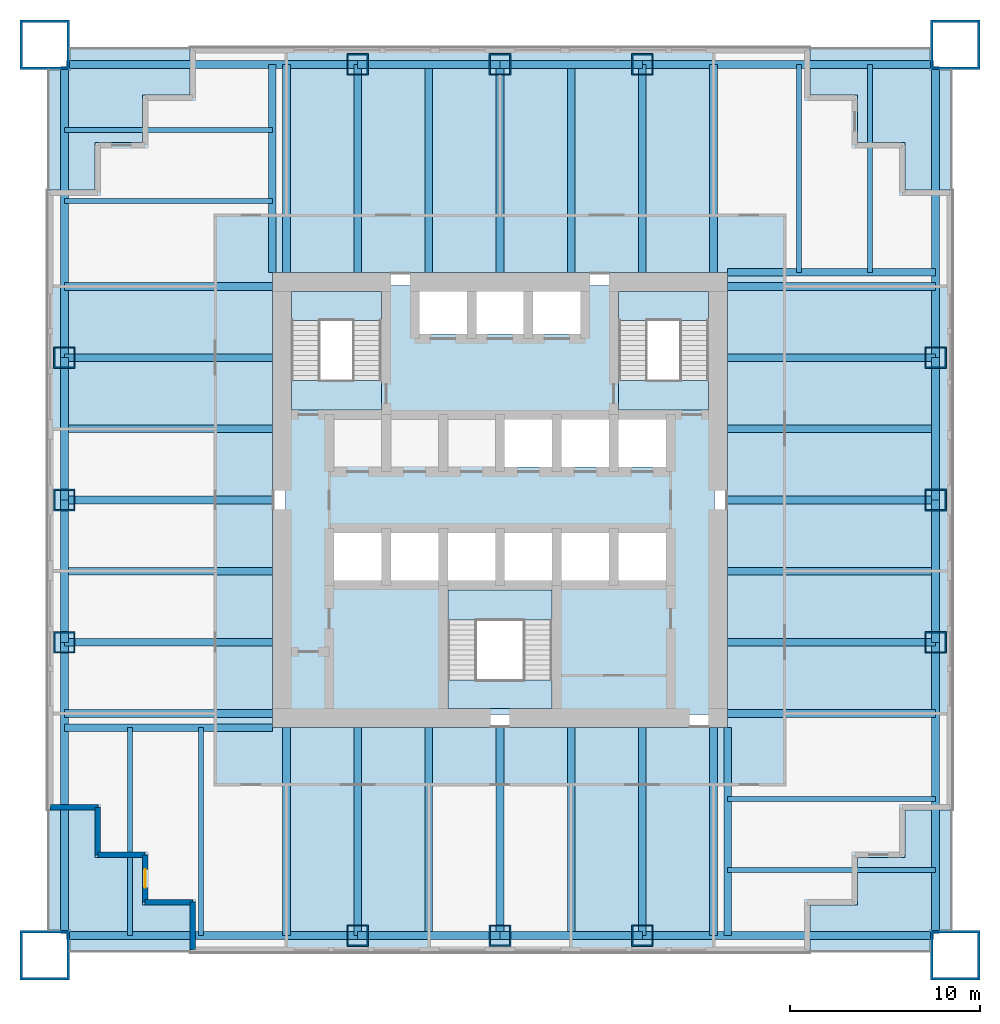
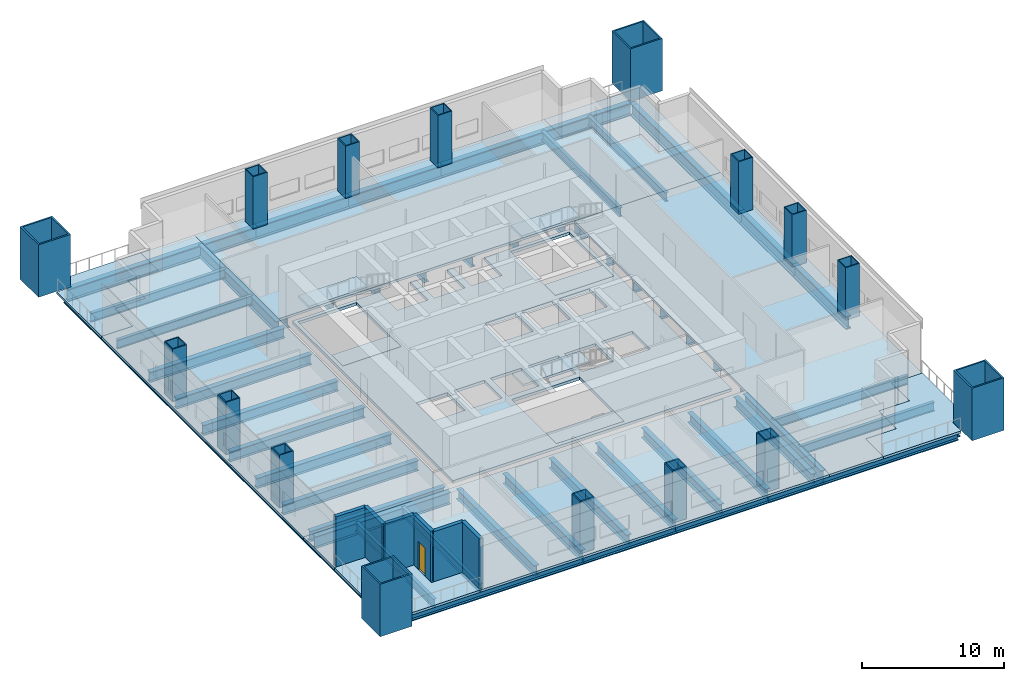
# One storey, part 1 of 7: 56 beams, 16 columns, 15 slabs, 6 walls, 1 door, 1 opening, 3 elements without a shape of their own.
"""IFC4 building model written with IfcOpenShell, lengths in metres."""

import ifcopenshell
import ifcopenshell.guid

model = None  # the IFC model being written
_history = None  # IfcOwnerHistory: only IFC2X3 demands one
_inside = {}  # id of a spatial element -> (the spatial element, [elements in it])
_under = {}  # id of a project, library or spatial element -> (it, [spatial elements below it])
_declared = {}  # id of a project -> (the project, [libraries it declares])
_typed = {}  # id of a type object -> (the type object, [elements of that type])
_made_of = {}  # id of a material, layer set ... -> (it, [elements and type objects made of it])


def new_model(schema):
    """Start an empty IFC model of exactly this schema.

    Asked for "IFC4X3", IfcOpenShell would pick the latest addendum, in which some entities
    have other attributes; the version numbers below select the first issue.
    IFC2X3 requires an IfcOwnerHistory on every rooted entity: one is made here for all.
    """
    global model, _history
    if schema == "IFC4X3":
        model = ifcopenshell.file(schema_version=(4, 3, 0, 0))
    else:
        model = ifcopenshell.file(schema=schema)
    _inside.clear()
    _under.clear()
    _declared.clear()
    _typed.clear()
    _made_of.clear()
    _history = None
    if model.schema == "IFC2X3":
        org = make("IfcOrganization", Name="unknown")
        user = make(
            "IfcPersonAndOrganization",
            ThePerson=make("IfcPerson", FamilyName="unknown"),
            TheOrganization=org,
        )
        app = make(
            "IfcApplication",
            ApplicationDeveloper=org,
            Version="unknown",
            ApplicationFullName="unknown",
            ApplicationIdentifier="unknown",
        )
        _history = make(
            "IfcOwnerHistory",
            OwningUser=user,
            OwningApplication=app,
            ChangeAction="ADDED",
            CreationDate=0,
        )
    return model


def make(cls, **values):
    """One entity of the class cls with the attributes given. An attribute that is None is left unset."""
    return model.create_entity(
        cls, **{name: value for name, value in values.items() if value is not None}
    )


def rooted(cls, **values):
    """An entity with a GlobalId (a new one), such as an element, a storey or a relation."""
    return make(cls, GlobalId=ifcopenshell.guid.new(), OwnerHistory=_history, **values)


def si_unit(unit_type, name, prefix=None):
    """IfcSIUnit, for example si_unit("LENGTHUNIT", "METRE", prefix="MILLI")."""
    return make("IfcSIUnit", UnitType=unit_type, Prefix=prefix, Name=name)


def assignment(units):
    """IfcUnitAssignment: the units of a project."""
    return None if units is None else make("IfcUnitAssignment", Units=units)


def point(xyz):
    """IfcCartesianPoint."""
    return None if xyz is None else make("IfcCartesianPoint", Coordinates=xyz)


def direction(xyz):
    """IfcDirection."""
    return None if xyz is None else make("IfcDirection", DirectionRatios=xyz)


def frame(location, z_axis=None, x_axis=None):
    """IfcAxis2Placement3D, a coordinate frame: its origin and axes. An axis left out is left unset."""
    return make(
        "IfcAxis2Placement3D",
        Location=point(location),
        Axis=direction(z_axis),
        RefDirection=direction(x_axis),
    )


def frame_2d(location, x_axis=None):
    """IfcAxis2Placement2D, a coordinate frame in the plane: its origin and x axis."""
    return make(
        "IfcAxis2Placement2D", Location=point(location), RefDirection=direction(x_axis)
    )


def origin():
    """The frame at (0, 0, 0) with its axes left unset."""
    return frame((0.0, 0.0, 0.0))


def origin_2d():
    """The frame at (0, 0) in the plane with its x axis left unset."""
    return frame_2d((0.0, 0.0))


def place(relative_to, where):
    """IfcLocalPlacement: puts the frame where relative to a parent placement (None: the world)."""
    return make(
        "IfcLocalPlacement", PlacementRelTo=relative_to, RelativePlacement=where
    )


def context(
    kind, dimensions, precision=None, world=None, true_north=None, identifier=None
):
    """IfcGeometricRepresentationContext, for example the 3D "Model" context."""
    return make(
        "IfcGeometricRepresentationContext",
        ContextIdentifier=identifier,
        ContextType=kind,
        CoordinateSpaceDimension=dimensions,
        Precision=precision,
        WorldCoordinateSystem=world,
        TrueNorth=true_north,
    )


def subcontext(parent, identifier, kind, view, scale=None):
    """IfcGeometricRepresentationSubContext, for example "Body" below "Model"."""
    return make(
        "IfcGeometricRepresentationSubContext",
        ContextIdentifier=identifier,
        ContextType=kind,
        ParentContext=parent,
        TargetScale=scale,
        TargetView=view,
    )


def project(units=None, contexts=None):
    """IfcProject with its units and contexts."""
    return rooted(
        "IfcProject",
        Name="project",
        RepresentationContexts=contexts,
        UnitsInContext=assignment(units),
    )


def spatial(cls, under=None, at=None, **own):
    """A site, building, storey or space (cls), placed at a placement, below another one or the project."""
    s = rooted(cls, ObjectPlacement=at, **own)
    if under is not None:
        _under.setdefault(under.id(), (under, []))[1].append(s)
    return s


def polyline(points):
    """IfcPolyline through the points."""
    return make("IfcPolyline", Points=[point(p) for p in points])


def profile(cls, at=None, kind="AREA", **sizes):
    """A parametric profile (cls). Its sizes go by their IFC names, for example OverallWidth=200.0."""
    return make(cls, ProfileType=kind, Position=at, **sizes)


def rectangle(**sizes):
    """IfcRectangleProfileDef."""
    return profile("IfcRectangleProfileDef", **sizes)


def hollow_rectangle(**sizes):
    """IfcRectangleHollowProfileDef."""
    return profile("IfcRectangleHollowProfileDef", **sizes)


def i_section(**sizes):
    """IfcIShapeProfileDef."""
    return profile("IfcIShapeProfileDef", **sizes)


def outline(outer, holes=None, kind="AREA"):
    """IfcArbitraryClosedProfileDef: a profile drawn as a closed curve; with holes, ...WithVoids."""
    if holes is None:
        return make("IfcArbitraryClosedProfileDef", ProfileType=kind, OuterCurve=outer)
    return make(
        "IfcArbitraryProfileDefWithVoids",
        ProfileType=kind,
        OuterCurve=outer,
        InnerCurves=holes,
    )


def extrude(swept, where, along, depth):
    """IfcExtrudedAreaSolid: the profile swept, set in the frame where, extruded along a direction by depth."""
    return make(
        "IfcExtrudedAreaSolid",
        SweptArea=swept,
        Position=where,
        ExtrudedDirection=direction(along),
        Depth=depth,
    )


def shape(context_of_items, identifier, shape_type, items):
    """IfcShapeRepresentation: the items that make up one representation, for example the "Body"."""
    return make(
        "IfcShapeRepresentation",
        ContextOfItems=context_of_items,
        RepresentationIdentifier=identifier,
        RepresentationType=shape_type,
        Items=items,
    )


def material(Name=None, Category=None):
    """IfcMaterial."""
    return make("IfcMaterial", Name=Name, Category=Category)


def layer(
    of_material, thickness, ventilated=None, Name=None, Category=None, Priority=None
):
    """IfcMaterialLayer: one layer of a wall or slab, of a material (None: an air gap)."""
    return make(
        "IfcMaterialLayer",
        Material=of_material,
        LayerThickness=thickness,
        IsVentilated=ventilated,
        Name=Name,
        Category=Category,
        Priority=Priority,
    )


def layer_set(layers, Name=None):
    """IfcMaterialLayerSet."""
    return make("IfcMaterialLayerSet", MaterialLayers=layers, LayerSetName=Name)


def material_profile(
    of_material, cross_section, Name=None, Category=None, Priority=None
):
    """IfcMaterialProfile: a cross section and its material."""
    return make(
        "IfcMaterialProfile",
        Name=Name,
        Material=of_material,
        Profile=cross_section,
        Priority=Priority,
        Category=Category,
    )


def profile_set(profiles, Name=None, composite=None):
    """IfcMaterialProfileSet."""
    return make(
        "IfcMaterialProfileSet",
        Name=Name,
        MaterialProfiles=profiles,
        CompositeProfile=composite,
    )


def made_of(thing, what):
    """Note that an element or type object is made of a material, layer set ...; save() writes the relation."""
    if what is not None:
        _made_of.setdefault(what.id(), (what, []))[1].append(thing)
    return thing


def type_object(cls, material=None, **own):
    """A type object (cls), such as IfcWallType, which elements share."""
    return made_of(rooted(cls, **own), material)


def element(
    cls,
    number,
    at=None,
    inside=None,
    cuts=None,
    type_object=None,
    material=None,
    context=None,
    identifier="Body",
    shape_type=None,
    held_by="IfcProductDefinitionShape",
    body=None,
    shapes=None,
    **own,
):
    """One element of the class cls, such as IfcWall. Its Tag is "e" and its number.

    at: its placement. inside: the storey or other place that contains it. cuts: it is an
    opening in that element (IfcRelVoidsElement). A single representation is given by context,
    identifier, shape_type and body (its items); several are given by shapes. held_by: the class
    of the entity that holds the representations. save() writes the other relations.
    """
    e = rooted(cls, Tag="e%d" % number, ObjectPlacement=at, **own)
    if body is not None:
        shapes = [shape(context, identifier, shape_type, body)]
    if shapes is not None:
        e.Representation = make(held_by, Representations=shapes)
    if inside is not None:
        _inside.setdefault(inside.id(), (inside, []))[1].append(e)
    if cuts is not None:
        rooted(
            "IfcRelVoidsElement", RelatingBuildingElement=cuts, RelatedOpeningElement=e
        )
    if type_object is not None:
        _typed.setdefault(type_object.id(), (type_object, []))[1].append(e)
    return made_of(e, material)


def fill(opening, filler):
    """IfcRelFillsElement: the door or window that sits in an opening."""
    return rooted(
        "IfcRelFillsElement",
        RelatingOpeningElement=opening,
        RelatedBuildingElement=filler,
    )


def aggregate(whole, parts):
    """IfcRelAggregates: a whole, such as a stair, and the parts it consists of."""
    return rooted("IfcRelAggregates", RelatingObject=whole, RelatedObjects=parts)


def save(model, path):
    """Write the relations noted so far, then the file.

    IfcRelAggregates (storeys below a building ...), IfcRelContainedInSpatialStructure (elements
    in a storey), IfcRelDefinesByType, IfcRelAssociatesMaterial and IfcRelDeclares: one each for
    every whole, place, type object, material and project.
    """
    for whole, parts in _under.values():
        aggregate(whole, parts)
    for where, things in _inside.values():
        rooted(
            "IfcRelContainedInSpatialStructure",
            RelatedElements=things,
            RelatingStructure=where,
        )
    for kind, things in _typed.values():
        rooted("IfcRelDefinesByType", RelatedObjects=things, RelatingType=kind)
    for what, things in _made_of.values():
        rooted("IfcRelAssociatesMaterial", RelatedObjects=things, RelatingMaterial=what)
    for by, libraries in _declared.values():
        rooted("IfcRelDeclares", RelatingContext=by, RelatedDefinitions=libraries)
    model.write(path)


model = new_model("IFC4")

# Units and contexts
model_context = context("Model", 3, precision=1e-05, world=origin(), true_north=direction((0.0, 1.0)))
body_context = subcontext(model_context, "Body", "Model", "MODEL_VIEW")
ifc_project = project(units=[si_unit("LENGTHUNIT", "METRE"), si_unit("AREAUNIT", "SQUARE_METRE"), si_unit("VOLUMEUNIT", "CUBIC_METRE"), si_unit("PLANEANGLEUNIT", "RADIAN"), si_unit("MASSUNIT", "GRAM", prefix="KILO")], contexts=[model_context])

# Site, building, storey
site_placement = place(None, origin())
site = spatial("IfcSite", under=ifc_project, at=site_placement, CompositionType="ELEMENT")
building_placement = place(site_placement, origin())
building = spatial("IfcBuilding", under=site, at=building_placement, Name="Tarangal Relay Tower", CompositionType="ELEMENT")
storey_placement = place(building_placement, frame((0.0, 0.0, 162.89990234375)))
storey = spatial("IfcBuildingStorey", under=building, at=storey_placement, Name="L33", CompositionType="ELEMENT", Elevation=162.89990234375)

# Columns
ifc_material_1 = material(Name="Steel ASTM A572 Grade 42", Category="steel")
ifc_material_profile_1 = material_profile(ifc_material_1, hollow_rectangle(XDim=2.60009765625, YDim=2.60009765625, WallThickness=0.1298828125, at=origin_2d()), Name="BOX2600X2600X130")
ifc_profile_set_1 = profile_set([ifc_material_profile_1], Name="Steel ASTM A572 Grade 42")
column_type_1 = type_object("IfcColumnType", Name="Mega column BOX2600X2600X130", PredefinedType="COLUMN", material=ifc_profile_set_1)
for number, where, z_axis, x_axis, name in (
    (1, (24.0, 24.0, 0.0), (0.0, 0.0, 1.0), (1.0, 0.0, 0.0), "Mega column MC2 NE L33"),
    (2, (24.0, -24.0, 0.0), (0.0, 0.0, 1.0), (1.0, 0.0, 0.0), "Mega column MC2 SE L33"),
    (3, (-24.0, -24.0, 0.0), (0.0, 0.0, 1.0), (1.0, 0.0, 0.0), "Mega column MC2 SW L33"),
    (4, (-24.0, 24.0, 0.0), (0.0, 0.0, 1.0), (1.0, 0.0, 0.0), "Mega column MC2 NW L33"),
):
    element("IfcColumn", number, at=place(storey_placement, frame(where, z_axis=z_axis, x_axis=x_axis)), inside=storey, type_object=column_type_1, Name=name, PredefinedType="COLUMN", context=body_context, shape_type="SweptSolid", body=[
        extrude(hollow_rectangle(XDim=2.60009765625, YDim=2.60009765625, WallThickness=0.1298828125, at=origin_2d()), origin(), (0.0, 0.0, 1.0), 4.5),
    ])
ifc_material_2 = material(Name="Steel ASTM A572 Grade 50", Category="steel")
ifc_material_profile_2 = material_profile(ifc_material_2, hollow_rectangle(XDim=1.14990234375, YDim=1.14990234375, WallThickness=0.074951171875, at=origin_2d()), Name="BOX1150X1150X75")
ifc_profile_set_2 = profile_set([ifc_material_profile_2], Name="Steel ASTM A572 Grade 50")
column_type_2 = type_object("IfcColumnType", Name="Perimeter column BOX1150X1150X75", PredefinedType="COLUMN", material=ifc_profile_set_2)
for number, where, z_axis, x_axis, name in (
    (5, (-7.5, 22.965087890625, 0.0), (0.0, 0.0, 1.0), (1.0, 0.0, 0.0), "Perimeter column PC3 N L33"),
    (6, (0.0, 22.965087890625, 0.0), (0.0, 0.0, 1.0), (1.0, 0.0, 0.0), "Perimeter column PC3 N L33"),
    (7, (7.5, 22.965087890625, 0.0), (0.0, 0.0, 1.0), (1.0, 0.0, 0.0), "Perimeter column PC3 N L33"),
    (8, (22.965087890625, 7.5, 0.0), (0.0, 0.0, 1.0), (1.0, 0.0, 0.0), "Perimeter column PC3 E L33"),
    (9, (22.965087890625, 0.0, 0.0), (0.0, 0.0, 1.0), (1.0, 0.0, 0.0), "Perimeter column PC3 E L33"),
    (10, (22.965087890625, -7.5, 0.0), (0.0, 0.0, 1.0), (1.0, 0.0, 0.0), "Perimeter column PC3 E L33"),
    (11, (7.5, -22.965087890625, 0.0), (0.0, 0.0, 1.0), (1.0, 0.0, 0.0), "Perimeter column PC3 S L33"),
    (12, (0.0, -22.965087890625, 0.0), (0.0, 0.0, 1.0), (1.0, 0.0, 0.0), "Perimeter column PC3 S L33"),
    (13, (-7.5, -22.965087890625, 0.0), (0.0, 0.0, 1.0), (1.0, 0.0, 0.0), "Perimeter column PC3 S L33"),
    (14, (-22.965087890625, -7.5, 0.0), (0.0, 0.0, 1.0), (1.0, 0.0, 0.0), "Perimeter column PC3 W L33"),
    (15, (-22.965087890625, 0.0, 0.0), (0.0, 0.0, 1.0), (1.0, 0.0, 0.0), "Perimeter column PC3 W L33"),
    (16, (-22.965087890625, 7.5, 0.0), (0.0, 0.0, 1.0), (1.0, 0.0, 0.0), "Perimeter column PC3 W L33"),
):
    element("IfcColumn", number, at=place(storey_placement, frame(where, z_axis=z_axis, x_axis=x_axis)), inside=storey, type_object=column_type_2, Name=name, PredefinedType="COLUMN", context=body_context, shape_type="SweptSolid", body=[
        extrude(hollow_rectangle(XDim=1.14990234375, YDim=1.14990234375, WallThickness=0.074951171875, at=origin_2d()), origin(), (0.0, 0.0, 1.0), 4.5),
    ])

# Beams
ifc_material_3 = material(Name="Steel ASTM A992", Category="steel")
ifc_material_profile_3 = material_profile(ifc_material_3, i_section(OverallWidth=0.2666015625, OverallDepth=0.76953125, WebThickness=0.015625, FlangeThickness=0.025390625, at=origin_2d()), Name="W30X132")
ifc_profile_set_3 = profile_set([ifc_material_profile_3], Name="Steel ASTM A992")
beam_type_1 = type_object("IfcBeamType", Name="Corner beam W30X132", PredefinedType="JOIST", material=ifc_profile_set_3)
for number, where, z_axis, x_axis, name in (
    (17, (15.75, 12.0, -0.584716796875), (0.0, 1.0, 0.0), (-1.0, 0.0, 0.0), "Corner beam CB13 N L33"),
    (18, (19.5, 12.0, -0.584716796875), (0.0, 1.0, 0.0), (-1.0, 0.0, 0.0), "Corner beam CB13 N L33"),
    (19, (12.0, -15.75, -0.584716796875), (1.0, 0.0, 0.0), (0.0, 1.0, 0.0), "Corner beam CB13 E L33"),
    (20, (12.0, -19.5, -0.584716796875), (1.0, 0.0, 0.0), (0.0, 1.0, 0.0), "Corner beam CB13 E L33"),
    (21, (-15.75, -12.0, -0.584716796875), (0.0, -1.0, 0.0), (1.0, 0.0, 0.0), "Corner beam CB13 S L33"),
    (22, (-19.5, -12.0, -0.584716796875), (0.0, -1.0, 0.0), (1.0, 0.0, 0.0), "Corner beam CB13 S L33"),
    (23, (-12.0, 15.75, -0.584716796875), (-1.0, 0.0, 0.0), (0.0, -1.0, 0.0), "Corner beam CB13 W L33"),
    (24, (-12.0, 19.5, -0.584716796875), (-1.0, 0.0, 0.0), (0.0, -1.0, 0.0), "Corner beam CB13 W L33"),
):
    element("IfcBeam", number, at=place(storey_placement, frame(where, z_axis=z_axis, x_axis=x_axis)), inside=storey, type_object=beam_type_1, Name=name, PredefinedType="JOIST", context=body_context, shape_type="SweptSolid", body=[
        extrude(i_section(OverallWidth=0.2666015625, OverallDepth=0.76953125, WebThickness=0.015625, FlangeThickness=0.025390625, at=origin_2d()), origin(), (0.0, 0.0, 1.0), 10.965087890625),
    ])
ifc_material_profile_4 = material_profile(ifc_material_3, i_section(OverallWidth=0.4013671875, OverallDepth=1.01611328125, WebThickness=0.02099609375, FlangeThickness=0.0400390625, at=origin_2d()), Name="W40X277")
ifc_profile_set_4 = profile_set([ifc_material_profile_4], Name="Steel ASTM A992")
beam_type_2 = type_object("IfcBeamType", Name="Corner girder W40X277", PredefinedType="BEAM", material=ifc_profile_set_4)
for number, where, z_axis, x_axis, name in (
    (25, (12.0, 12.0, -0.7080078125), (1.0, 0.0, 0.0), (0.0, 1.0, 0.0), "Corner girder CG3 N L33"),
    (26, (12.0, -12.0, -0.7080078125), (0.0, -1.0, 0.0), (1.0, 0.0, 0.0), "Corner girder CG3 E L33"),
    (27, (-12.0, -12.0, -0.7080078125), (-1.0, 0.0, 0.0), (0.0, -1.0, 0.0), "Corner girder CG3 S L33"),
    (28, (-12.0, 12.0, -0.7080078125), (0.0, 1.0, 0.0), (-1.0, 0.0, 0.0), "Corner girder CG3 W L33"),
):
    element("IfcBeam", number, at=place(storey_placement, frame(where, z_axis=z_axis, x_axis=x_axis)), inside=storey, type_object=beam_type_2, Name=name, PredefinedType="BEAM", context=body_context, shape_type="SweptSolid", body=[
        extrude(i_section(OverallWidth=0.4013671875, OverallDepth=1.01611328125, WebThickness=0.02099609375, FlangeThickness=0.0400390625, at=origin_2d()), origin(), (0.0, 0.0, 1.0), 10.965087890625),
    ])
ifc_material_profile_5 = material_profile(ifc_material_3, i_section(OverallWidth=0.42431640625, OverallDepth=1.09228515625, WebThickness=0.04541015625, FlangeThickness=0.08203125, at=origin_2d()), Name="W40X593")
ifc_profile_set_5 = profile_set([ifc_material_profile_5], Name="Steel ASTM A992")
beam_type_3 = type_object("IfcBeamType", Name="Edge girder W40X593", PredefinedType="SPANDREL", material=ifc_profile_set_5)
beam_1_placement = place(storey_placement, frame((-22.85009765625, 22.965087890625, -0.74609375), z_axis=(1.0, 0.0, 0.0), x_axis=(0.0, 1.0, 0.0)))
element("IfcBeam", 29, at=beam_1_placement, inside=storey, type_object=beam_type_3, Name="Edge girder EG9 N L33", PredefinedType="SPANDREL", context=body_context, shape_type="SweptSolid", body=[
    extrude(i_section(OverallWidth=0.42431640625, OverallDepth=1.09228515625, WebThickness=0.04541015625, FlangeThickness=0.08203125, at=origin_2d()), origin(), (0.0, 0.0, 1.0), 15.35009765625),
])
for number, where, z_axis, x_axis, name in (
    (30, (-7.5, 22.965087890625, -0.74609375), (1.0, 0.0, 0.0), (0.0, 1.0, 0.0), "Edge girder EG9 N L33"),
    (31, (0.0, 22.965087890625, -0.74609375), (1.0, 0.0, 0.0), (0.0, 1.0, 0.0), "Edge girder EG9 N L33"),
):
    element("IfcBeam", number, at=place(storey_placement, frame(where, z_axis=z_axis, x_axis=x_axis)), inside=storey, type_object=beam_type_3, Name=name, PredefinedType="SPANDREL", context=body_context, shape_type="SweptSolid", body=[
        extrude(i_section(OverallWidth=0.42431640625, OverallDepth=1.09228515625, WebThickness=0.04541015625, FlangeThickness=0.08203125, at=origin_2d()), origin(), (0.0, 0.0, 1.0), 7.5),
    ])
for number, where, z_axis, x_axis, name in (
    (32, (7.5, 22.965087890625, -0.74609375), (1.0, 0.0, 0.0), (0.0, 1.0, 0.0), "Edge girder EG9 N L33"),
    (33, (22.965087890625, 22.85009765625, -0.74609375), (0.0, -1.0, 0.0), (1.0, 0.0, 0.0), "Edge girder EG9 E L33"),
):
    element("IfcBeam", number, at=place(storey_placement, frame(where, z_axis=z_axis, x_axis=x_axis)), inside=storey, type_object=beam_type_3, Name=name, PredefinedType="SPANDREL", context=body_context, shape_type="SweptSolid", body=[
        extrude(i_section(OverallWidth=0.42431640625, OverallDepth=1.09228515625, WebThickness=0.04541015625, FlangeThickness=0.08203125, at=origin_2d()), origin(), (0.0, 0.0, 1.0), 15.35009765625),
    ])
for number, where, z_axis, x_axis, name in (
    (34, (22.965087890625, 7.5, -0.74609375), (0.0, -1.0, 0.0), (1.0, 0.0, 0.0), "Edge girder EG9 E L33"),
    (35, (22.965087890625, 0.0, -0.74609375), (0.0, -1.0, 0.0), (1.0, 0.0, 0.0), "Edge girder EG9 E L33"),
):
    element("IfcBeam", number, at=place(storey_placement, frame(where, z_axis=z_axis, x_axis=x_axis)), inside=storey, type_object=beam_type_3, Name=name, PredefinedType="SPANDREL", context=body_context, shape_type="SweptSolid", body=[
        extrude(i_section(OverallWidth=0.42431640625, OverallDepth=1.09228515625, WebThickness=0.04541015625, FlangeThickness=0.08203125, at=origin_2d()), origin(), (0.0, 0.0, 1.0), 7.5),
    ])
for number, where, z_axis, x_axis, name in (
    (36, (22.965087890625, -7.5, -0.74609375), (0.0, -1.0, 0.0), (1.0, 0.0, 0.0), "Edge girder EG9 E L33"),
    (37, (22.85009765625, -22.965087890625, -0.74609375), (-1.0, 0.0, 0.0), (0.0, -1.0, 0.0), "Edge girder EG9 S L33"),
):
    element("IfcBeam", number, at=place(storey_placement, frame(where, z_axis=z_axis, x_axis=x_axis)), inside=storey, type_object=beam_type_3, Name=name, PredefinedType="SPANDREL", context=body_context, shape_type="SweptSolid", body=[
        extrude(i_section(OverallWidth=0.42431640625, OverallDepth=1.09228515625, WebThickness=0.04541015625, FlangeThickness=0.08203125, at=origin_2d()), origin(), (0.0, 0.0, 1.0), 15.35009765625),
    ])
for number, where, z_axis, x_axis, name in (
    (38, (7.5, -22.965087890625, -0.74609375), (-1.0, 0.0, 0.0), (0.0, -1.0, 0.0), "Edge girder EG9 S L33"),
    (39, (0.0, -22.965087890625, -0.74609375), (-1.0, 0.0, 0.0), (0.0, -1.0, 0.0), "Edge girder EG9 S L33"),
):
    element("IfcBeam", number, at=place(storey_placement, frame(where, z_axis=z_axis, x_axis=x_axis)), inside=storey, type_object=beam_type_3, Name=name, PredefinedType="SPANDREL", context=body_context, shape_type="SweptSolid", body=[
        extrude(i_section(OverallWidth=0.42431640625, OverallDepth=1.09228515625, WebThickness=0.04541015625, FlangeThickness=0.08203125, at=origin_2d()), origin(), (0.0, 0.0, 1.0), 7.5),
    ])
for number, where, z_axis, x_axis, name in (
    (40, (-7.5, -22.965087890625, -0.74609375), (-1.0, 0.0, 0.0), (0.0, -1.0, 0.0), "Edge girder EG9 S L33"),
    (41, (-22.965087890625, -22.85009765625, -0.74609375), (0.0, 1.0, 0.0), (-1.0, 0.0, 0.0), "Edge girder EG9 W L33"),
):
    element("IfcBeam", number, at=place(storey_placement, frame(where, z_axis=z_axis, x_axis=x_axis)), inside=storey, type_object=beam_type_3, Name=name, PredefinedType="SPANDREL", context=body_context, shape_type="SweptSolid", body=[
        extrude(i_section(OverallWidth=0.42431640625, OverallDepth=1.09228515625, WebThickness=0.04541015625, FlangeThickness=0.08203125, at=origin_2d()), origin(), (0.0, 0.0, 1.0), 15.35009765625),
    ])
for number, where, z_axis, x_axis, name in (
    (42, (-22.965087890625, -7.5, -0.74609375), (0.0, 1.0, 0.0), (-1.0, 0.0, 0.0), "Edge girder EG9 W L33"),
    (43, (-22.965087890625, 0.0, -0.74609375), (0.0, 1.0, 0.0), (-1.0, 0.0, 0.0), "Edge girder EG9 W L33"),
):
    element("IfcBeam", number, at=place(storey_placement, frame(where, z_axis=z_axis, x_axis=x_axis)), inside=storey, type_object=beam_type_3, Name=name, PredefinedType="SPANDREL", context=body_context, shape_type="SweptSolid", body=[
        extrude(i_section(OverallWidth=0.42431640625, OverallDepth=1.09228515625, WebThickness=0.04541015625, FlangeThickness=0.08203125, at=origin_2d()), origin(), (0.0, 0.0, 1.0), 7.5),
    ])
beam_2_placement = place(storey_placement, frame((-22.965087890625, 7.5, -0.74609375), z_axis=(0.0, 1.0, 0.0), x_axis=(-1.0, 0.0, 0.0)))
element("IfcBeam", 44, at=beam_2_placement, inside=storey, type_object=beam_type_3, Name="Edge girder EG9 W L33", PredefinedType="SPANDREL", context=body_context, shape_type="SweptSolid", body=[
    extrude(i_section(OverallWidth=0.42431640625, OverallDepth=1.09228515625, WebThickness=0.04541015625, FlangeThickness=0.08203125, at=origin_2d()), origin(), (0.0, 0.0, 1.0), 15.35009765625),
])
ifc_material_profile_6 = material_profile(ifc_material_3, i_section(OverallWidth=0.40380859375, OverallDepth=0.86865234375, WebThickness=0.02099609375, FlangeThickness=0.03564453125, at=origin_2d()), Name="W33X241")
ifc_profile_set_6 = profile_set([ifc_material_profile_6], Name="Steel ASTM A992")
beam_type_4 = type_object("IfcBeamType", Name="Floor beam W33X241", PredefinedType="BEAM", material=ifc_profile_set_6)
for number, where, z_axis, x_axis, name in (
    (45, (-11.25, 12.0, -0.63427734375), (0.0, 1.0, 0.0), (-1.0, 0.0, 0.0), "Floor beam RB11 N L33"),
    (46, (-7.5, 12.0, -0.63427734375), (0.0, 1.0, 0.0), (-1.0, 0.0, 0.0), "Floor beam RB11 N L33"),
    (47, (-3.75, 12.0, -0.63427734375), (0.0, 1.0, 0.0), (-1.0, 0.0, 0.0), "Floor beam RB11 N L33"),
    (48, (0.0, 12.0, -0.63427734375), (0.0, 1.0, 0.0), (-1.0, 0.0, 0.0), "Floor beam RB11 N L33"),
    (49, (3.75, 12.0, -0.63427734375), (0.0, 1.0, 0.0), (-1.0, 0.0, 0.0), "Floor beam RB11 N L33"),
    (50, (7.5, 12.0, -0.63427734375), (0.0, 1.0, 0.0), (-1.0, 0.0, 0.0), "Floor beam RB11 N L33"),
    (51, (11.25, 12.0, -0.63427734375), (0.0, 1.0, 0.0), (-1.0, 0.0, 0.0), "Floor beam RB11 N L33"),
    (52, (12.0, 11.25, -0.63427734375), (1.0, 0.0, 0.0), (0.0, 1.0, 0.0), "Floor beam RB11 E L33"),
    (53, (12.0, 7.5, -0.63427734375), (1.0, 0.0, 0.0), (0.0, 1.0, 0.0), "Floor beam RB11 E L33"),
    (54, (12.0, 3.75, -0.63427734375), (1.0, 0.0, 0.0), (0.0, 1.0, 0.0), "Floor beam RB11 E L33"),
    (55, (12.0, 0.0, -0.63427734375), (1.0, 0.0, 0.0), (0.0, 1.0, 0.0), "Floor beam RB11 E L33"),
    (56, (12.0, -3.75, -0.63427734375), (1.0, 0.0, 0.0), (0.0, 1.0, 0.0), "Floor beam RB11 E L33"),
    (57, (12.0, -7.5, -0.63427734375), (1.0, 0.0, 0.0), (0.0, 1.0, 0.0), "Floor beam RB11 E L33"),
    (58, (12.0, -11.25, -0.63427734375), (1.0, 0.0, 0.0), (0.0, 1.0, 0.0), "Floor beam RB11 E L33"),
    (59, (11.25, -12.0, -0.63427734375), (0.0, -1.0, 0.0), (1.0, 0.0, 0.0), "Floor beam RB11 S L33"),
    (60, (7.5, -12.0, -0.63427734375), (0.0, -1.0, 0.0), (1.0, 0.0, 0.0), "Floor beam RB11 S L33"),
    (61, (3.75, -12.0, -0.63427734375), (0.0, -1.0, 0.0), (1.0, 0.0, 0.0), "Floor beam RB11 S L33"),
    (62, (0.0, -12.0, -0.63427734375), (0.0, -1.0, 0.0), (1.0, 0.0, 0.0), "Floor beam RB11 S L33"),
    (63, (-3.75, -12.0, -0.63427734375), (0.0, -1.0, 0.0), (1.0, 0.0, 0.0), "Floor beam RB11 S L33"),
    (64, (-7.5, -12.0, -0.63427734375), (0.0, -1.0, 0.0), (1.0, 0.0, 0.0), "Floor beam RB11 S L33"),
    (65, (-11.25, -12.0, -0.63427734375), (0.0, -1.0, 0.0), (1.0, 0.0, 0.0), "Floor beam RB11 S L33"),
    (66, (-12.0, -11.25, -0.63427734375), (-1.0, 0.0, 0.0), (0.0, -1.0, 0.0), "Floor beam RB11 W L33"),
    (67, (-12.0, -7.5, -0.63427734375), (-1.0, 0.0, 0.0), (0.0, -1.0, 0.0), "Floor beam RB11 W L33"),
    (68, (-12.0, -3.75, -0.63427734375), (-1.0, 0.0, 0.0), (0.0, -1.0, 0.0), "Floor beam RB11 W L33"),
    (69, (-12.0, 0.0, -0.63427734375), (-1.0, 0.0, 0.0), (0.0, -1.0, 0.0), "Floor beam RB11 W L33"),
    (70, (-12.0, 3.75, -0.63427734375), (-1.0, 0.0, 0.0), (0.0, -1.0, 0.0), "Floor beam RB11 W L33"),
    (71, (-12.0, 7.5, -0.63427734375), (-1.0, 0.0, 0.0), (0.0, -1.0, 0.0), "Floor beam RB11 W L33"),
    (72, (-12.0, 11.25, -0.63427734375), (-1.0, 0.0, 0.0), (0.0, -1.0, 0.0), "Floor beam RB11 W L33"),
):
    element("IfcBeam", number, at=place(storey_placement, frame(where, z_axis=z_axis, x_axis=x_axis)), inside=storey, type_object=beam_type_4, Name=name, PredefinedType="BEAM", context=body_context, shape_type="SweptSolid", body=[
        extrude(i_section(OverallWidth=0.40380859375, OverallDepth=0.86865234375, WebThickness=0.02099609375, FlangeThickness=0.03564453125, at=origin_2d()), origin(), (0.0, 0.0, 1.0), 10.965087890625),
    ])

# Slabs
ifc_material_4 = material(Name="Concrete fc' 35 MPa", Category="concrete")
ifc_layer_1 = layer(ifc_material_4, 0.25)
ifc_layer_set_1 = layer_set([ifc_layer_1], Name="Core floor slab 250")
slab_type_1 = type_object("IfcSlabType", Name="Core floor slab 250", PredefinedType="FLOOR", material=ifc_layer_set_1)
slab_1_placement = place(storey_placement, frame((0.0, 0.0, -0.25)))
element("IfcSlab", 73, at=slab_1_placement, inside=storey, type_object=slab_type_1, Name="Core floor slab L33", PredefinedType="FLOOR", context=body_context, shape_type="SweptSolid", body=[
    extrude(outline(polyline([(11.300048828125, 11.300048828125), (11.300048828125, -11.300048828125), (-11.300048828125, -11.300048828125), (-11.300048828125, 11.300048828125), (-4.25, 11.300048828125), (-4.25, 8.75), (-1.75, 8.75), (-1.75, 11.300048828125), (-1.25, 11.300048828125), (-1.25, 8.75), (1.25, 8.75), (1.25, 11.300048828125), (1.75, 11.300048828125), (1.75, 8.75), (4.25, 8.75), (4.25, 11.300048828125), (11.300048828125, 11.300048828125)]), holes=[polyline([(2.75, -4.75), (-2.75, -4.75), (-2.75, -11.0), (2.75, -11.0), (2.75, -4.75)]), polyline([(-6.25, -4.25), (-6.25, -1.75), (-8.75, -1.75), (-8.75, -4.25), (-6.25, -4.25)]), polyline([(-3.25, -4.25), (-3.25, -1.75), (-5.75, -1.75), (-5.75, -4.25), (-3.25, -4.25)]), polyline([(-0.25, -4.25), (-0.25, -1.75), (-2.75, -1.75), (-2.75, -4.25), (-0.25, -4.25)]), polyline([(2.75, 1.75), (2.75, 4.25), (0.25, 4.25), (0.25, 1.75), (2.75, 1.75)]), polyline([(-6.25, 4.75), (-6.25, 11.0), (-11.0, 11.0), (-11.0, 4.75), (-6.25, 4.75)]), polyline([(2.75, -4.25), (2.75, -1.75), (0.25, -1.75), (0.25, -4.25), (2.75, -4.25)]), polyline([(5.75, -4.25), (5.75, -1.75), (3.25, -1.75), (3.25, -4.25), (5.75, -4.25)]), polyline([(8.75, -4.25), (8.75, -1.75), (6.25, -1.75), (6.25, -4.25), (8.75, -4.25)]), polyline([(5.75, 1.75), (5.75, 4.25), (3.25, 4.25), (3.25, 1.75), (5.75, 1.75)]), polyline([(8.75, 1.75), (8.75, 4.25), (6.25, 4.25), (6.25, 1.75), (8.75, 1.75)]), polyline([(11.0, 4.75), (11.0, 11.0), (6.25, 11.0), (6.25, 4.75), (11.0, 4.75)])]), origin(), (0.0, 0.0, 1.0), 0.25),
])
ifc_layer_2 = layer(ifc_material_4, 0.199951171875)
ifc_layer_set_2 = layer_set([ifc_layer_2], Name="Floor slab 200")
slab_type_2 = type_object("IfcSlabType", Name="Floor slab 200", PredefinedType="FLOOR", material=ifc_layer_set_2)
slab_2_placement = place(storey_placement, frame((0.0, 0.0, -0.199951171875)))
element("IfcSlab", 74, at=slab_2_placement, inside=storey, type_object=slab_type_2, Name="Floor slab FS2 L33 north bay", PredefinedType="FLOOR", context=body_context, shape_type="SweptSolid", body=[
    extrude(outline(polyline([(16.35009765625, 23.85009765625), (16.35009765625, 21.35009765625), (18.85009765625, 21.35009765625), (18.85009765625, 18.85009765625), (21.35009765625, 18.85009765625), (21.35009765625, 16.35009765625), (23.85009765625, 16.35009765625), (23.85009765625, 12.0), (-12.0, 12.0), (-12.0, 23.85009765625), (16.35009765625, 23.85009765625)])), origin(), (0.0, 0.0, 1.0), 0.199951171875),
])
slab_3_placement = place(storey_placement, frame((0.0, 0.0, -0.199951171875)))
element("IfcSlab", 75, at=slab_3_placement, inside=storey, type_object=slab_type_2, Name="Floor slab FS2 L33 east bay", PredefinedType="FLOOR", context=body_context, shape_type="SweptSolid", body=[
    extrude(outline(polyline([(23.85009765625, -16.35009765625), (21.35009765625, -16.35009765625), (21.35009765625, -18.85009765625), (18.85009765625, -18.85009765625), (18.85009765625, -21.35009765625), (16.35009765625, -21.35009765625), (16.35009765625, -23.85009765625), (12.0, -23.85009765625), (12.0, 12.0), (23.85009765625, 12.0), (23.85009765625, -16.35009765625)])), origin(), (0.0, 0.0, 1.0), 0.199951171875),
])
slab_4_placement = place(storey_placement, frame((0.0, 0.0, -0.199951171875)))
element("IfcSlab", 76, at=slab_4_placement, inside=storey, type_object=slab_type_2, Name="Floor slab FS2 L33 south bay", PredefinedType="FLOOR", context=body_context, shape_type="SweptSolid", body=[
    extrude(outline(polyline([(-16.35009765625, -23.85009765625), (-16.35009765625, -21.35009765625), (-18.85009765625, -21.35009765625), (-18.85009765625, -18.85009765625), (-21.35009765625, -18.85009765625), (-21.35009765625, -16.35009765625), (-23.85009765625, -16.35009765625), (-23.85009765625, -12.0), (12.0, -12.0), (12.0, -23.85009765625), (-16.35009765625, -23.85009765625)])), origin(), (0.0, 0.0, 1.0), 0.199951171875),
])
slab_5_placement = place(storey_placement, frame((0.0, 0.0, -0.199951171875)))
element("IfcSlab", 77, at=slab_5_placement, inside=storey, type_object=slab_type_2, Name="Floor slab FS2 L33 west bay", PredefinedType="FLOOR", context=body_context, shape_type="SweptSolid", body=[
    extrude(outline(polyline([(-12.0, 23.85009765625), (-12.0, -12.0), (-23.85009765625, -12.0), (-23.85009765625, 16.35009765625), (-21.35009765625, 16.35009765625), (-21.35009765625, 18.85009765625), (-18.85009765625, 18.85009765625), (-18.85009765625, 21.35009765625), (-16.35009765625, 21.35009765625), (-16.35009765625, 23.85009765625), (-12.0, 23.85009765625)])), origin(), (0.0, 0.0, 1.0), 0.199951171875),
])

# Stair, slabs
ifc_material_5 = material(Name="Steel ASTM A992 stair flight", Category="steel")
stair_type = type_object("IfcStairType", Name="Core stair 1500", PredefinedType="HALF_TURN_STAIR", material=ifc_material_5)
stair_1_placement = place(storey_placement, origin())
stair_1 = element("IfcStair", 78, at=stair_1_placement, inside=storey, type_object=stair_type, Name="Stair ST-A L33", PredefinedType="HALF_TURN_STAIR")
ifc_layer_3 = layer(ifc_material_4, 0.199951171875)
ifc_layer_set_3 = layer_set([ifc_layer_3], Name="Stair landing 200")
slab_type_3 = type_object("IfcSlabType", Name="Stair landing 200", PredefinedType="LANDING", material=ifc_layer_set_3)
slab_6_placement = place(storey_placement, frame((0.0, 0.0, -0.199951171875)))
slab_6 = element("IfcSlab", 79, at=slab_6_placement, type_object=slab_type_3, Name="ST-A landing 1", PredefinedType="LANDING", context=body_context, shape_type="SweptSolid", body=[
    extrude(outline(polyline([(-11.0, 4.75), (-6.25, 4.75), (-6.25, 6.300048828125), (-11.0, 6.300048828125), (-11.0, 4.75)])), origin(), (0.0, 0.0, 1.0), 0.199951171875),
])
slab_7_placement = place(storey_placement, frame((0.0, 0.0, 2.050048828125)))
slab_7 = element("IfcSlab", 80, at=slab_7_placement, type_object=slab_type_3, Name="ST-A landing 2", PredefinedType="LANDING", context=body_context, shape_type="SweptSolid", body=[
    extrude(outline(polyline([(-11.0, 9.468017578125), (-6.25, 9.468017578125), (-6.25, 11.0), (-11.0, 11.0), (-11.0, 9.468017578125)])), origin(), (0.0, 0.0, 1.0), 0.199951171875),
])
aggregate(stair_1, [slab_6, slab_7])

stair_2_placement = place(storey_placement, origin())
stair_2 = element("IfcStair", 81, at=stair_2_placement, inside=storey, type_object=stair_type, Name="Stair ST-B L33", PredefinedType="HALF_TURN_STAIR")
slab_8_placement = place(storey_placement, frame((0.0, 0.0, -0.199951171875)))
slab_8 = element("IfcSlab", 82, at=slab_8_placement, type_object=slab_type_3, Name="ST-B landing 1", PredefinedType="LANDING", context=body_context, shape_type="SweptSolid", body=[
    extrude(outline(polyline([(6.25, 4.75), (11.0, 4.75), (11.0, 6.300048828125), (6.25, 6.300048828125), (6.25, 4.75)])), origin(), (0.0, 0.0, 1.0), 0.199951171875),
])
slab_9_placement = place(storey_placement, frame((0.0, 0.0, 2.050048828125)))
slab_9 = element("IfcSlab", 83, at=slab_9_placement, type_object=slab_type_3, Name="ST-B landing 2", PredefinedType="LANDING", context=body_context, shape_type="SweptSolid", body=[
    extrude(outline(polyline([(6.25, 9.468017578125), (11.0, 9.468017578125), (11.0, 11.0), (6.25, 11.0), (6.25, 9.468017578125)])), origin(), (0.0, 0.0, 1.0), 0.199951171875),
])
aggregate(stair_2, [slab_8, slab_9])

stair_3_placement = place(storey_placement, origin())
stair_3 = element("IfcStair", 84, at=stair_3_placement, inside=storey, type_object=stair_type, Name="Stair ST-C L33", PredefinedType="HALF_TURN_STAIR")
slab_10_placement = place(storey_placement, frame((0.0, 0.0, -0.199951171875)))
slab_10 = element("IfcSlab", 85, at=slab_10_placement, type_object=slab_type_3, Name="ST-C landing 1", PredefinedType="LANDING", context=body_context, shape_type="SweptSolid", body=[
    extrude(outline(polyline([(-2.75, -11.0), (2.75, -11.0), (2.75, -9.5), (-2.75, -9.5), (-2.75, -11.0)])), origin(), (0.0, 0.0, 1.0), 0.199951171875),
])
slab_11_placement = place(storey_placement, frame((0.0, 0.0, 2.050048828125)))
slab_11 = element("IfcSlab", 86, at=slab_11_placement, type_object=slab_type_3, Name="ST-C landing 2", PredefinedType="LANDING", context=body_context, shape_type="SweptSolid", body=[
    extrude(outline(polyline([(-2.75, -6.33203125), (2.75, -6.33203125), (2.75, -4.75), (-2.75, -4.75), (-2.75, -6.33203125)])), origin(), (0.0, 0.0, 1.0), 0.199951171875),
])
aggregate(stair_3, [slab_10, slab_11])

# Slabs
ifc_layer_4 = layer(ifc_material_4, 0.199951171875)
ifc_layer_set_4 = layer_set([ifc_layer_4], Name="Terrace slab 200")
slab_type_4 = type_object("IfcSlabType", Name="Terrace slab 200", PredefinedType="FLOOR", material=ifc_layer_set_4)
slab_12_placement = place(storey_placement, frame((0.0, 0.0, -0.199951171875)))
element("IfcSlab", 87, at=slab_12_placement, inside=storey, type_object=slab_type_4, Name="Corner terrace NE L33", PredefinedType="FLOOR", context=body_context, shape_type="SweptSolid", body=[
    extrude(outline(polyline([(16.35009765625, 23.85009765625), (16.35009765625, 21.35009765625), (18.85009765625, 21.35009765625), (18.85009765625, 18.85009765625), (21.35009765625, 18.85009765625), (21.35009765625, 16.35009765625), (23.85009765625, 16.35009765625), (23.85009765625, 22.64990234375), (22.64990234375, 22.64990234375), (22.64990234375, 23.85009765625), (16.35009765625, 23.85009765625)])), origin(), (0.0, 0.0, 1.0), 0.199951171875),
])
slab_13_placement = place(storey_placement, frame((0.0, 0.0, -0.199951171875)))
element("IfcSlab", 88, at=slab_13_placement, inside=storey, type_object=slab_type_4, Name="Corner terrace SE L33", PredefinedType="FLOOR", context=body_context, shape_type="SweptSolid", body=[
    extrude(outline(polyline([(23.85009765625, -16.35009765625), (21.35009765625, -16.35009765625), (21.35009765625, -18.85009765625), (18.85009765625, -18.85009765625), (18.85009765625, -21.35009765625), (16.35009765625, -21.35009765625), (16.35009765625, -23.85009765625), (22.64990234375, -23.85009765625), (22.64990234375, -22.64990234375), (23.85009765625, -22.64990234375), (23.85009765625, -16.35009765625)])), origin(), (0.0, 0.0, 1.0), 0.199951171875),
])
slab_14_placement = place(storey_placement, frame((0.0, 0.0, -0.199951171875)))
element("IfcSlab", 89, at=slab_14_placement, inside=storey, type_object=slab_type_4, Name="Corner terrace SW L33", PredefinedType="FLOOR", context=body_context, shape_type="SweptSolid", body=[
    extrude(outline(polyline([(-16.35009765625, -23.85009765625), (-16.35009765625, -21.35009765625), (-18.85009765625, -21.35009765625), (-18.85009765625, -18.85009765625), (-21.35009765625, -18.85009765625), (-21.35009765625, -16.35009765625), (-23.85009765625, -16.35009765625), (-23.85009765625, -22.64990234375), (-22.64990234375, -22.64990234375), (-22.64990234375, -23.85009765625), (-16.35009765625, -23.85009765625)])), origin(), (0.0, 0.0, 1.0), 0.199951171875),
])
slab_15_placement = place(storey_placement, frame((0.0, 0.0, -0.199951171875)))
element("IfcSlab", 90, at=slab_15_placement, inside=storey, type_object=slab_type_4, Name="Corner terrace NW L33", PredefinedType="FLOOR", context=body_context, shape_type="SweptSolid", body=[
    extrude(outline(polyline([(-23.85009765625, 16.35009765625), (-21.35009765625, 16.35009765625), (-21.35009765625, 18.85009765625), (-18.85009765625, 18.85009765625), (-18.85009765625, 21.35009765625), (-16.35009765625, 21.35009765625), (-16.35009765625, 23.85009765625), (-22.64990234375, 23.85009765625), (-22.64990234375, 22.64990234375), (-23.85009765625, 22.64990234375), (-23.85009765625, 16.35009765625)])), origin(), (0.0, 0.0, 1.0), 0.199951171875),
])

# Walls
ifc_material_6 = material(Name="Insulated precast concrete fc' 40 MPa", Category="concrete")
ifc_layer_5 = layer(ifc_material_6, 0.300048828125)
ifc_layer_set_5 = layer_set([ifc_layer_5], Name="Insulated precast concrete fc' 40 MPa")
wall_type = type_object("IfcWallType", Name="Facade wall precast 300", PredefinedType="SOLIDWALL", material=ifc_layer_set_5)
for number, where, z_axis, x_axis, name in (
    (91, (-16.199951171875, -23.699951171875, 0.0), (0.0, 0.0, 1.0), (0.0, 1.0, 0.0), "Facade wall S facade L33"),
    (92, (-16.199951171875, -21.199951171875, 0.0), (0.0, 0.0, 1.0), (-1.0, 0.0, 0.0), "Facade wall S facade L33"),
):
    element("IfcWall", number, at=place(storey_placement, frame(where, z_axis=z_axis, x_axis=x_axis)), inside=storey, type_object=wall_type, Name=name, PredefinedType="SOLIDWALL", context=body_context, shape_type="SweptSolid", body=[
        extrude(rectangle(XDim=2.5, YDim=0.300048828125, at=frame_2d((1.25, 0.0))), origin(), (0.0, 0.0, 1.0), 4.300048828125),
    ])

# Wall, opening, door
wall_placement = place(storey_placement, frame((-18.699951171875, -21.199951171875, 0.0), z_axis=(0.0, 0.0, 1.0), x_axis=(0.0, 1.0, 0.0)))
wall = element("IfcWall", 93, at=wall_placement, inside=storey, type_object=wall_type, Name="Facade wall S facade L33", PredefinedType="SOLIDWALL", context=body_context, shape_type="SweptSolid", body=[
    extrude(rectangle(XDim=2.5, YDim=0.300048828125, at=frame_2d((1.25, 0.0))), origin(), (0.0, 0.0, 1.0), 4.300048828125),
])
opening_placement = place(wall_placement, frame((0.75, 0.0, 0.0)))
opening = element("IfcOpeningElement", 94, at=opening_placement, cuts=wall, Name="Opening TD1", PredefinedType="OPENING", context=body_context, shape_type="SweptSolid", body=[
    extrude(rectangle(XDim=1.0, YDim=2.39990234375, at=frame_2d((0.5, 1.199951171875))), frame((0.0, 0.159912109375, 0.0), z_axis=(0.0, -1.0, 0.0), x_axis=(1.0, 0.0, 0.0)), (0.0, 0.0, 1.0), 0.320068359375),
])
ifc_material_7 = material(Name="Aluminium glazed door", Category="aluminium")
door_type = type_object("IfcDoorType", Name="Terrace door 1000 x 2400", OperationType="SINGLE_SWING_RIGHT", PredefinedType="DOOR", material=ifc_material_7)
door_placement = place(opening_placement, origin())
door = element("IfcDoor", 95, at=door_placement, inside=storey, type_object=door_type, Name="Terrace door TD1 SW L33", OperationType="SINGLE_SWING_RIGHT", OverallHeight=2.39990234375, OverallWidth=1.0, PredefinedType="DOOR", context=body_context, shape_type="SweptSolid", body=[
    extrude(rectangle(XDim=1.0, YDim=2.39990234375, at=frame_2d((0.5, 1.199951171875))), frame((0.0, 0.02490234375, 0.0), z_axis=(0.0, -1.0, 0.0), x_axis=(1.0, 0.0, 0.0)), (0.0, 0.0, 1.0), 0.050048828125),
])
fill(opening, door)

# Walls
for number, where, z_axis, x_axis, name in (
    (96, (-18.699951171875, -18.699951171875, 0.0), (0.0, 0.0, 1.0), (-1.0, 0.0, 0.0), "Facade wall S facade L33"),
    (97, (-21.199951171875, -18.699951171875, 0.0), (0.0, 0.0, 1.0), (0.0, 1.0, 0.0), "Facade wall S facade L33"),
    (98, (-21.199951171875, -16.199951171875, 0.0), (0.0, 0.0, 1.0), (-1.0, 0.0, 0.0), "Facade wall S facade L33"),
):
    element("IfcWall", number, at=place(storey_placement, frame(where, z_axis=z_axis, x_axis=x_axis)), inside=storey, type_object=wall_type, Name=name, PredefinedType="SOLIDWALL", context=body_context, shape_type="SweptSolid", body=[
        extrude(rectangle(XDim=2.5, YDim=0.300048828125, at=frame_2d((1.25, 0.0))), origin(), (0.0, 0.0, 1.0), 4.300048828125),
    ])

save(model, "model.ifc")
